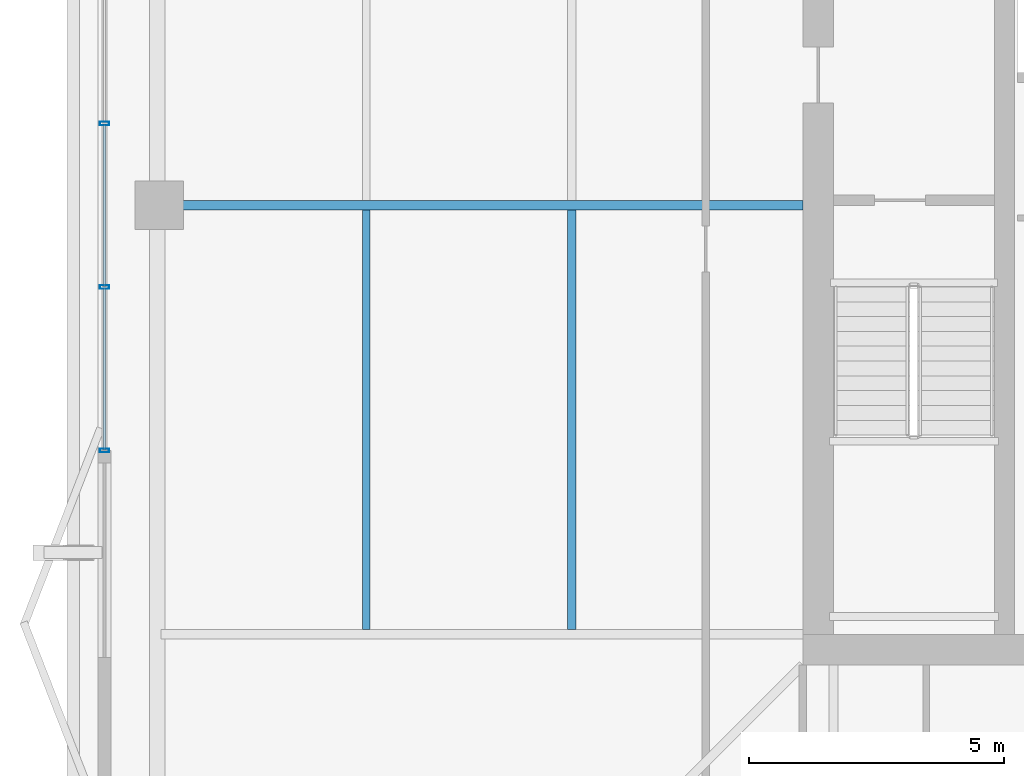
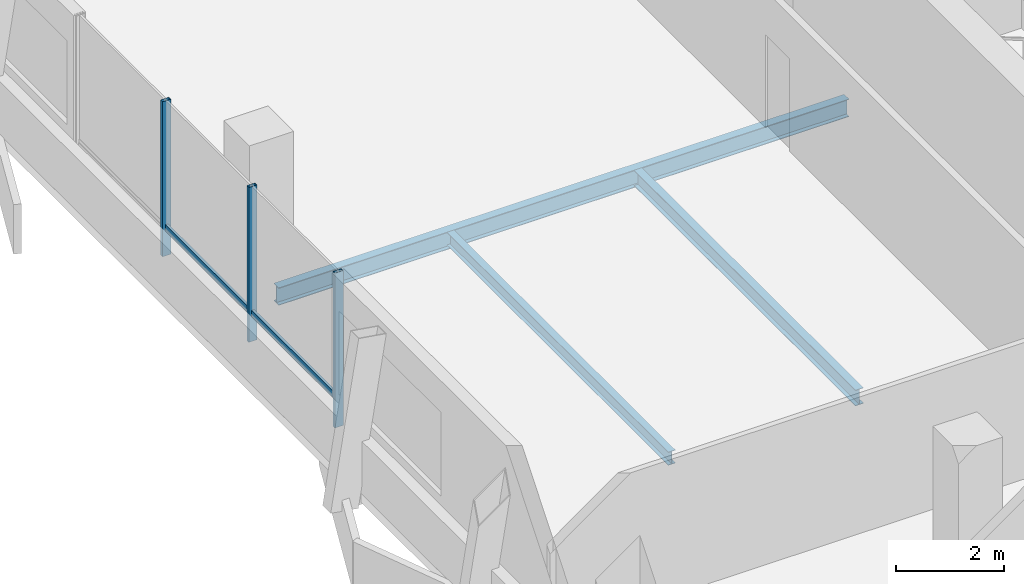
# One storey, part 6 of 26: 5 members, 3 beams, 1 element without a shape of its own.
"""IFC4 building model written with IfcOpenShell, lengths in metres."""

from ifc_helpers import new_model, si_unit, direction, frame, origin, origin_2d, place, context, subcontext, project, spatial, hollow_rectangle, i_section, extrude, material, layer, layer_set, material_profile, profile_set, type_object, element, aggregate, save


model = new_model("IFC4")

# Units and contexts
model_context = context("Model", 3, precision=1e-05, world=origin(), true_north=direction((0.0, 1.0)))
body_context = subcontext(model_context, "Body", "Model", "MODEL_VIEW")
ifc_project = project(units=[si_unit("LENGTHUNIT", "METRE"), si_unit("AREAUNIT", "SQUARE_METRE"), si_unit("VOLUMEUNIT", "CUBIC_METRE"), si_unit("PLANEANGLEUNIT", "RADIAN"), si_unit("MASSUNIT", "GRAM", prefix="KILO")], contexts=[model_context])

# Site, building, storey
site_placement = place(None, origin())
site = spatial("IfcSite", under=ifc_project, at=site_placement, CompositionType="ELEMENT")
building_placement = place(site_placement, origin())
building = spatial("IfcBuilding", under=site, at=building_placement, Name="Belovzor Exchange Tower", CompositionType="ELEMENT")
storey_placement = place(building_placement, frame((0.0, 0.0, 295.5)))
storey = spatial("IfcBuildingStorey", under=building, at=storey_placement, Name="L73", CompositionType="ELEMENT", Elevation=295.5)

# Beams
ifc_material_1 = material(Name="Steel S355", Category="steel")
ifc_material_profile_1 = material_profile(ifc_material_1, i_section(OverallWidth=0.169921875, OverallDepth=0.360107421875, WebThickness=0.008056640625, FlangeThickness=0.0126953125, at=origin_2d()))
ifc_profile_set_1 = profile_set([ifc_material_profile_1], Name="Steel S355")
beam_type_1 = type_object("IfcBeamType", Name="Secondary Infill Floor Joist IPE 360", PredefinedType="BEAM", material=ifc_profile_set_1)
beam_1_placement = place(storey_placement, frame((15.277099609375, 20.489990234375, -0.419921875), z_axis=(0.0, 1.0, 0.0), x_axis=(-1.0, 0.0, 0.0)))
element("IfcBeam", 1, at=beam_1_placement, inside=storey, type_object=beam_type_1, Name="FJ-360 Secondary Infill Floor Joist IPE 360", PredefinedType="BEAM", context=body_context, shape_type="SweptSolid", body=[
    extrude(i_section(OverallWidth=0.169921875, OverallDepth=0.360107421875, WebThickness=0.008056640625, FlangeThickness=0.0126953125, at=origin_2d()), origin(), (0.0, 0.0, 1.0), 8.219970703125),
])
ifc_material_2 = material(Name="Steel S355", Category="steel")
ifc_material_profile_2 = material_profile(ifc_material_2, i_section(OverallWidth=0.14990234375, OverallDepth=0.300048828125, WebThickness=0.007080078125, FlangeThickness=0.0107421875, at=origin_2d()))
ifc_profile_set_2 = profile_set([ifc_material_profile_2], Name="Steel S355")
beam_type_2 = type_object("IfcBeamType", Name="Secondary Trim Floor Joist IPE 300", PredefinedType="BEAM", material=ifc_profile_set_2)
beam_2_placement = place(storey_placement, frame((11.256103515625, 20.489990234375, -0.389892578125), z_axis=(0.0, 1.0, 0.0), x_axis=(-1.0, 0.0, 0.0)))
element("IfcBeam", 2, at=beam_2_placement, inside=storey, type_object=beam_type_2, Name="FJ-300 Secondary Trim Floor Joist IPE 300", PredefinedType="BEAM", context=body_context, shape_type="SweptSolid", body=[
    extrude(i_section(OverallWidth=0.14990234375, OverallDepth=0.300048828125, WebThickness=0.007080078125, FlangeThickness=0.0107421875, at=origin_2d()), origin(), (0.0, 0.0, 1.0), 8.219970703125),
])

# Curtain wall, members
ifc_material_3 = material(Name="Anodised Aluminium Framing", Category="aluminium")
ifc_layer = layer(ifc_material_3, 0.179931640625)
ifc_layer_set = layer_set([ifc_layer], Name="Anodised Aluminium Framing")
curtain_wall_type = type_object("IfcCurtainWallType", Name="Recessed Loggia Low-Iron Triple-Glazed Curtain Wall", PredefinedType="NOTDEFINED", material=ifc_layer_set)
curtain_wall_placement = place(storey_placement, origin())
curtain_wall = element("IfcCurtainWall", 3, at=curtain_wall_placement, inside=storey, type_object=curtain_wall_type, Name="CW3 Recessed Loggia Low-Iron Triple-Glazed Curtain Wall L73", PredefinedType="NOTDEFINED")
ifc_material_4 = material(Name="Steel S355", Category="steel")
ifc_material_profile_3 = material_profile(ifc_material_4, hollow_rectangle(XDim=0.074951171875, YDim=0.179931640625, WallThickness=0.0048828125, at=origin_2d()))
ifc_profile_set_3 = profile_set([ifc_material_profile_3], Name="Steel S355")
member_type_1 = type_object("IfcMemberType", Name="Thermally Broken Curtain Wall Mullion 180x75", PredefinedType="MULLION", material=ifc_profile_set_3)
member_1_placement = place(storey_placement, frame((6.1298828125, 24.0, 0.0), z_axis=(0.0, 0.0, 1.0), x_axis=(0.0, 1.0, 0.0)))
member_1 = element("IfcMember", 4, at=member_1_placement, type_object=member_type_1, Name="CW-M180 Curtain Wall Mullion 1", PredefinedType="MULLION", context=body_context, shape_type="SweptSolid", body=[
    extrude(hollow_rectangle(XDim=0.074951171875, YDim=0.179931640625, WallThickness=0.0048828125, at=origin_2d()), origin(), (0.0, 0.0, 1.0), 3.510009765625),
])
member_2_placement = place(storey_placement, frame((6.1298828125, 27.199951171875, 0.0), z_axis=(0.0, 0.0, 1.0), x_axis=(0.0, 1.0, 0.0)))
member_2 = element("IfcMember", 5, at=member_2_placement, type_object=member_type_1, Name="CW-M180 Curtain Wall Mullion 2", PredefinedType="MULLION", context=body_context, shape_type="SweptSolid", body=[
    extrude(hollow_rectangle(XDim=0.074951171875, YDim=0.179931640625, WallThickness=0.0048828125, at=origin_2d()), origin(), (0.0, 0.0, 1.0), 3.510009765625),
])
member_3_placement = place(storey_placement, frame((6.1298828125, 30.39990234375, 0.0), z_axis=(0.0, 0.0, 1.0), x_axis=(0.0, 1.0, 0.0)))
member_3 = element("IfcMember", 6, at=member_3_placement, type_object=member_type_1, Name="CW-M180 Curtain Wall Mullion 3", PredefinedType="MULLION", context=body_context, shape_type="SweptSolid", body=[
    extrude(hollow_rectangle(XDim=0.074951171875, YDim=0.179931640625, WallThickness=0.0048828125, at=origin_2d()), origin(), (0.0, 0.0, 1.0), 3.510009765625),
])
ifc_material_5 = material(Name="Steel S355", Category="steel")
ifc_material_profile_4 = material_profile(ifc_material_5, hollow_rectangle(XDim=0.06005859375, YDim=0.14990234375, WallThickness=0.00390625, at=origin_2d()))
ifc_profile_set_4 = profile_set([ifc_material_profile_4], Name="Steel S355")
member_type_2 = type_object("IfcMemberType", Name="Thermally Broken Curtain Wall Transom 150x60", PredefinedType="USERDEFINED", material=ifc_profile_set_4)
member_4_placement = place(storey_placement, frame((6.1298828125, 24.008056640625, 0.632080078125), z_axis=(0.0, 1.0, 0.0), x_axis=(-1.0, 0.0, 0.0)))
member_4 = element("IfcMember", 7, at=member_4_placement, type_object=member_type_2, Name="CW-T150 Curtain Wall Transom 1", ObjectType="TRANSOM", PredefinedType="USERDEFINED", context=body_context, shape_type="SweptSolid", body=[
    extrude(hollow_rectangle(XDim=0.06005859375, YDim=0.14990234375, WallThickness=0.00390625, at=origin_2d()), origin(), (0.0, 0.0, 1.0), 3.183837890625),
])
member_5_placement = place(storey_placement, frame((6.1298828125, 27.2080078125, 0.632080078125), z_axis=(0.0, 1.0, 0.0), x_axis=(-1.0, 0.0, 0.0)))
member_5 = element("IfcMember", 8, at=member_5_placement, type_object=member_type_2, Name="CW-T150 Curtain Wall Transom 2", ObjectType="TRANSOM", PredefinedType="USERDEFINED", context=body_context, shape_type="SweptSolid", body=[
    extrude(hollow_rectangle(XDim=0.06005859375, YDim=0.14990234375, WallThickness=0.00390625, at=origin_2d()), origin(), (0.0, 0.0, 1.0), 3.18408203125),
])
aggregate(curtain_wall, [member_1, member_2, member_3, member_4, member_5])

# Beam
ifc_material_6 = material(Name="Steel S355", Category="steel")
ifc_material_profile_5 = material_profile(ifc_material_6, i_section(OverallWidth=0.179931640625, OverallDepth=0.39990234375, WebThickness=0.008544921875, FlangeThickness=0.013427734375, at=origin_2d()))
ifc_profile_set_5 = profile_set([ifc_material_profile_5], Name="Steel S355")
beam_type_3 = type_object("IfcBeamType", Name="Zone 5-6 Radial Composite Floor Beam IPE 400", PredefinedType="BEAM", material=ifc_profile_set_5)
beam_3_placement = place(storey_placement, frame((19.800048828125, 28.800048828125, -0.43994140625), z_axis=(-1.0, 0.0, 0.0), x_axis=(0.0, -1.0, 0.0)))
element("IfcBeam", 9, at=beam_3_placement, inside=storey, type_object=beam_type_3, Name="FB-400 Zone 5-6 Radial Composite Floor Beam IPE 400", PredefinedType="BEAM", context=body_context, shape_type="SweptSolid", body=[
    extrude(i_section(OverallWidth=0.179931640625, OverallDepth=0.39990234375, WebThickness=0.008544921875, FlangeThickness=0.013427734375, at=origin_2d()), origin(), (0.0, 0.0, 1.0), 12.22607421875),
])

save(model, "model.ifc")
